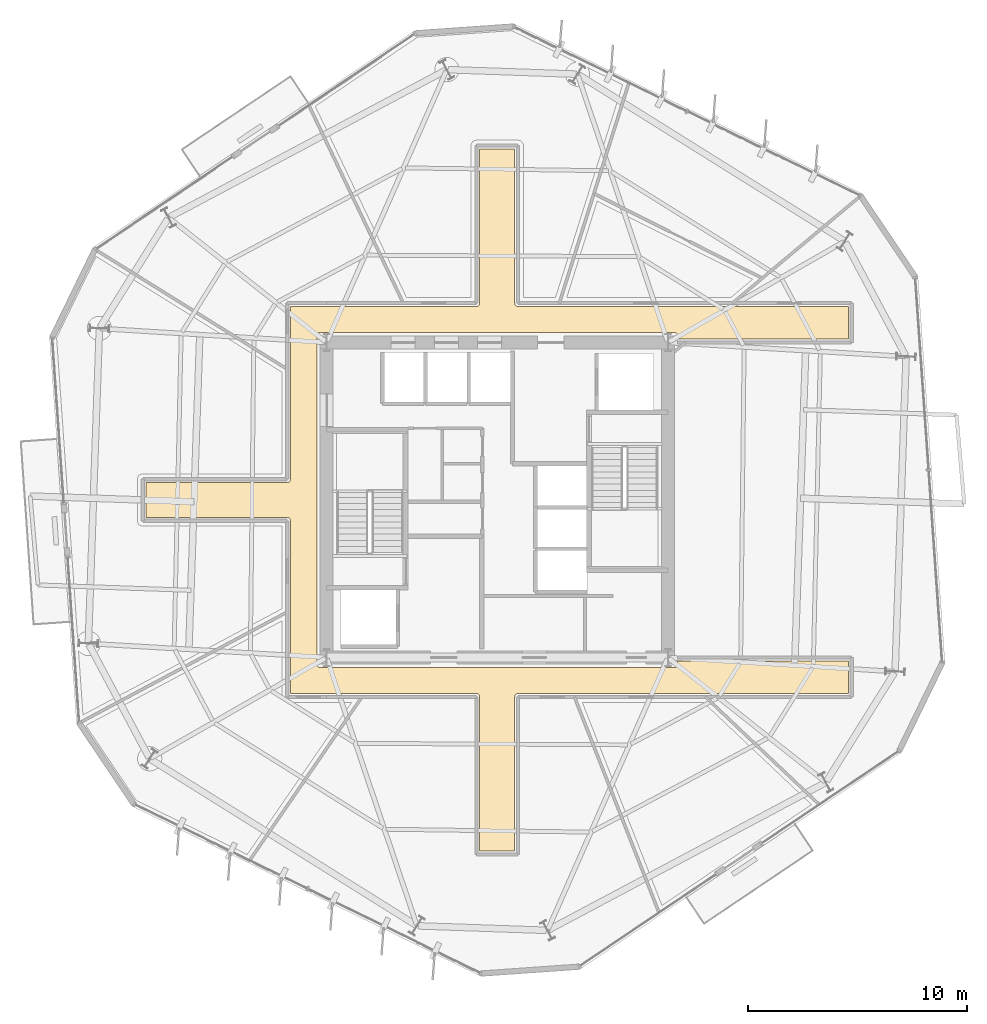
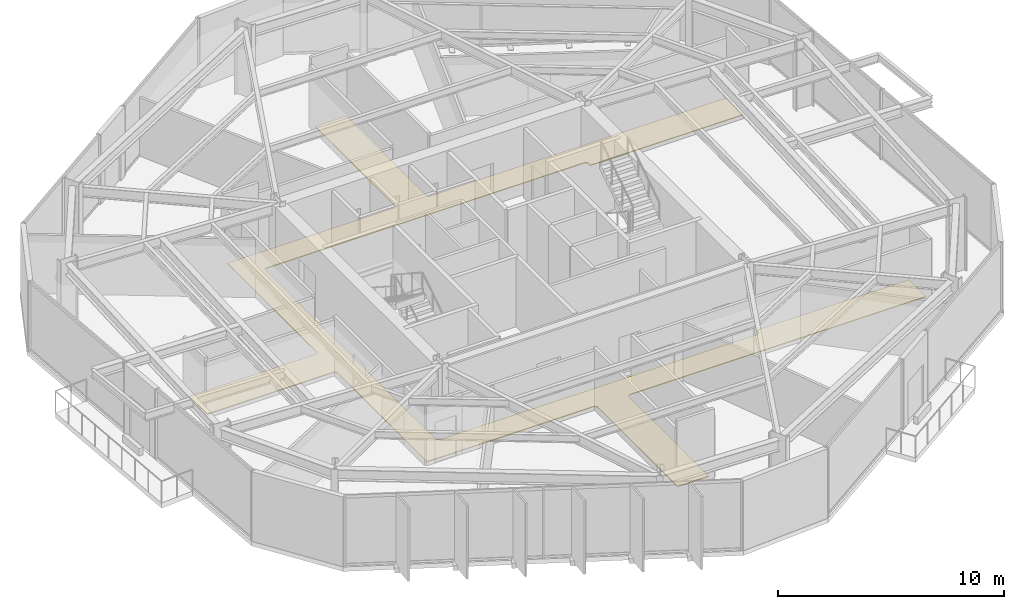
# One storey, part 12 of 14: 1 covering.
"""IFC4 building model written with IfcOpenShell, lengths in metres."""

from ifc_helpers import new_model, si_unit, direction, frame, origin, place, context, subcontext, project, spatial, polyline, outline, extrude, material, layer, layer_set, type_object, element, save


model = new_model("IFC4")

# Units and contexts
model_context = context("Model", 3, precision=1e-05, world=origin(), true_north=direction((0.0, 1.0)))
body_context = subcontext(model_context, "Body", "Model", "MODEL_VIEW")
ifc_project = project(units=[si_unit("LENGTHUNIT", "METRE"), si_unit("AREAUNIT", "SQUARE_METRE"), si_unit("VOLUMEUNIT", "CUBIC_METRE"), si_unit("PLANEANGLEUNIT", "RADIAN"), si_unit("MASSUNIT", "GRAM", prefix="KILO")], contexts=[model_context])

# Site, building, storey
site_placement = place(None, origin())
site = spatial("IfcSite", under=ifc_project, at=site_placement, CompositionType="ELEMENT")
building_placement = place(site_placement, origin())
building = spatial("IfcBuilding", under=site, at=building_placement, Name="Kranzbogen Civic Tower", CompositionType="ELEMENT")
storey_placement = place(building_placement, frame((0.0, 0.0, 158.39990234375)))
storey = spatial("IfcBuildingStorey", under=building, at=storey_placement, Name="L38", CompositionType="ELEMENT", Elevation=158.39990234375)

# Covering
ifc_material = material(Name="Honed Natural Stone Flooring", Category="masonry")
ifc_layer = layer(ifc_material, 0.0400390625, Name="Honed Natural Stone Flooring")
ifc_layer_set = layer_set([ifc_layer], Name="Honed Natural Stone Flooring")
covering_type = type_object("IfcCoveringType", Name="Honed Limestone Lobby Flooring 40 mm", PredefinedType="FLOORING", material=ifc_layer_set)
covering_placement = place(storey_placement, origin())
element("IfcCovering", 1, at=covering_placement, inside=storey, type_object=covering_type, Name="L38 concourse stone flooring 1", PredefinedType="FLOORING", context=body_context, shape_type="SweptSolid", body=[
    extrude(outline(polyline([(15.550048828125, 16.14990234375), (15.550048828125, 24.050048828125), (15.549072265625, 24.06494140625), (15.547119140625, 24.0791015625), (15.5439453125, 24.093994140625), (15.5390625, 24.10693359375), (15.531982421875, 24.12109375), (15.52490234375, 24.133056640625), (15.51611328125, 24.14501953125), (15.506103515625, 24.156005859375), (15.4951171875, 24.166015625), (15.48291015625, 24.175048828125), (15.470947265625, 24.181884765625), (15.45703125, 24.18896484375), (15.444091796875, 24.194091796875), (15.428955078125, 24.197021484375), (15.4150390625, 24.198974609375), (15.39990234375, 24.199951171875), (8.949951171875, 24.199951171875), (8.949951171875, 25.800048828125), (15.39990234375, 25.800048828125), (15.4150390625, 25.801025390625), (15.428955078125, 25.802978515625), (15.444091796875, 25.805908203125), (15.45703125, 25.81103515625), (15.470947265625, 25.818115234375), (15.48291015625, 25.824951171875), (15.4951171875, 25.833984375), (15.506103515625, 25.843994140625), (15.51611328125, 25.85498046875), (15.52490234375, 25.866943359375), (15.531982421875, 25.87890625), (15.5390625, 25.89306640625), (15.5439453125, 25.906005859375), (15.547119140625, 25.9208984375), (15.549072265625, 25.93505859375), (15.550048828125, 25.949951171875), (15.550048828125, 33.85009765625), (24.050048828125, 33.85009765625), (24.06494140625, 33.85107421875), (24.0791015625, 33.85302734375), (24.093994140625, 33.85595703125), (24.10693359375, 33.861083984375), (24.12109375, 33.867919921875), (24.133056640625, 33.875), (24.14501953125, 33.884033203125), (24.156005859375, 33.89404296875), (24.166015625, 33.905029296875), (24.175048828125, 33.9169921875), (24.181884765625, 33.928955078125), (24.18896484375, 33.943115234375), (24.194091796875, 33.9560546875), (24.197021484375, 33.970947265625), (24.198974609375, 33.985107421875), (24.199951171875, 34.0), (24.199951171875, 41.050048828125), (25.800048828125, 41.050048828125), (25.800048828125, 34.0), (25.801025390625, 33.985107421875), (25.802978515625, 33.970947265625), (25.805908203125, 33.9560546875), (25.81103515625, 33.943115234375), (25.818115234375, 33.928955078125), (25.824951171875, 33.9169921875), (25.833984375, 33.905029296875), (25.843994140625, 33.89404296875), (25.85498046875, 33.884033203125), (25.866943359375, 33.875), (25.87890625, 33.867919921875), (25.89306640625, 33.861083984375), (25.906005859375, 33.85595703125), (25.9208984375, 33.85302734375), (25.93505859375, 33.85107421875), (25.949951171875, 33.85009765625), (41.050048828125, 33.85009765625), (41.050048828125, 32.35009765625), (33.25, 32.35009765625), (33.25, 32.5), (33.2490234375, 32.514892578125), (33.2470703125, 32.529052734375), (33.243896484375, 32.5439453125), (33.239013671875, 32.556884765625), (33.23193359375, 32.571044921875), (33.22509765625, 32.5830078125), (33.216064453125, 32.594970703125), (33.2060546875, 32.60595703125), (33.195068359375, 32.615966796875), (33.18310546875, 32.625), (33.1708984375, 32.632080078125), (33.156982421875, 32.638916015625), (33.14404296875, 32.64404296875), (33.12890625, 32.64697265625), (33.114990234375, 32.64892578125), (33.10009765625, 32.64990234375), (16.89990234375, 32.64990234375), (16.885009765625, 32.64892578125), (16.87109375, 32.64697265625), (16.85595703125, 32.64404296875), (16.843017578125, 32.638916015625), (16.8291015625, 32.632080078125), (16.81689453125, 32.625), (16.804931640625, 32.615966796875), (16.7939453125, 32.60595703125), (16.783935546875, 32.594970703125), (16.77490234375, 32.5830078125), (16.76806640625, 32.571044921875), (16.760986328125, 32.556884765625), (16.756103515625, 32.5439453125), (16.7529296875, 32.529052734375), (16.7509765625, 32.514892578125), (16.75, 32.5), (16.75, 17.5), (16.7509765625, 17.485107421875), (16.7529296875, 17.470947265625), (16.756103515625, 17.4560546875), (16.760986328125, 17.443115234375), (16.76806640625, 17.428955078125), (16.77490234375, 17.4169921875), (16.783935546875, 17.405029296875), (16.7939453125, 17.39404296875), (16.804931640625, 17.384033203125), (16.81689453125, 17.375), (16.8291015625, 17.367919921875), (16.843017578125, 17.361083984375), (16.85595703125, 17.35595703125), (16.87109375, 17.35302734375), (16.885009765625, 17.35107421875), (16.89990234375, 17.35009765625), (33.10009765625, 17.35009765625), (33.114990234375, 17.35107421875), (33.12890625, 17.35302734375), (33.14404296875, 17.35595703125), (33.156982421875, 17.361083984375), (33.1708984375, 17.367919921875), (33.18310546875, 17.375), (33.195068359375, 17.384033203125), (33.2060546875, 17.39404296875), (33.216064453125, 17.405029296875), (33.22509765625, 17.4169921875), (33.23193359375, 17.428955078125), (33.239013671875, 17.443115234375), (33.243896484375, 17.4560546875), (33.2470703125, 17.470947265625), (33.2490234375, 17.485107421875), (33.25, 17.5), (33.25, 17.64990234375), (41.050048828125, 17.64990234375), (41.050048828125, 16.14990234375), (25.949951171875, 16.14990234375), (25.93505859375, 16.14892578125), (25.9208984375, 16.14697265625), (25.906005859375, 16.14404296875), (25.89306640625, 16.138916015625), (25.87890625, 16.132080078125), (25.866943359375, 16.125), (25.85498046875, 16.115966796875), (25.843994140625, 16.10595703125), (25.833984375, 16.094970703125), (25.824951171875, 16.0830078125), (25.818115234375, 16.071044921875), (25.81103515625, 16.056884765625), (25.805908203125, 16.0439453125), (25.802978515625, 16.029052734375), (25.801025390625, 16.014892578125), (25.800048828125, 16.0), (25.800048828125, 8.949951171875), (24.199951171875, 8.949951171875), (24.199951171875, 16.0), (24.198974609375, 16.014892578125), (24.197021484375, 16.029052734375), (24.194091796875, 16.0439453125), (24.18896484375, 16.056884765625), (24.181884765625, 16.071044921875), (24.175048828125, 16.0830078125), (24.166015625, 16.094970703125), (24.156005859375, 16.10595703125), (24.14501953125, 16.115966796875), (24.133056640625, 16.125), (24.12109375, 16.132080078125), (24.10693359375, 16.138916015625), (24.093994140625, 16.14404296875), (24.0791015625, 16.14697265625), (24.06494140625, 16.14892578125), (24.050048828125, 16.14990234375), (15.550048828125, 16.14990234375)])), origin(), (0.0, 0.0, 1.0), 0.0400390625),
])

save(model, "model.ifc")
